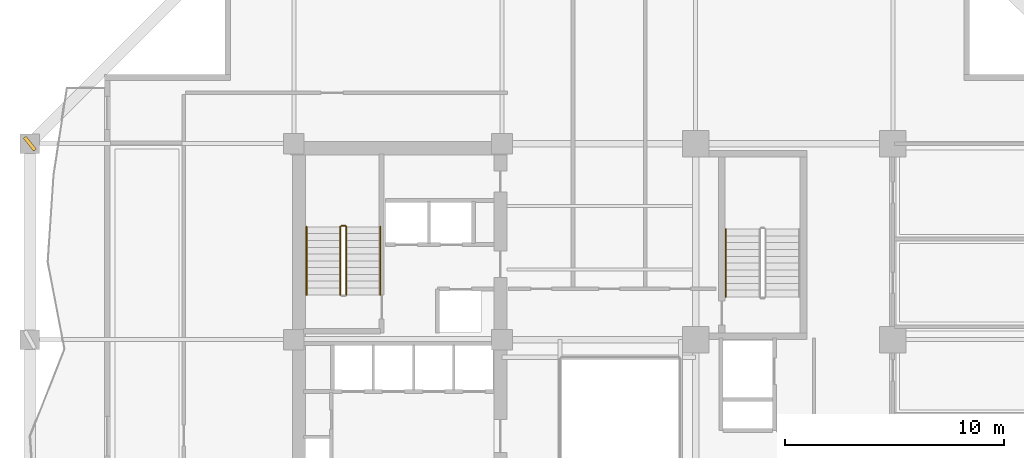
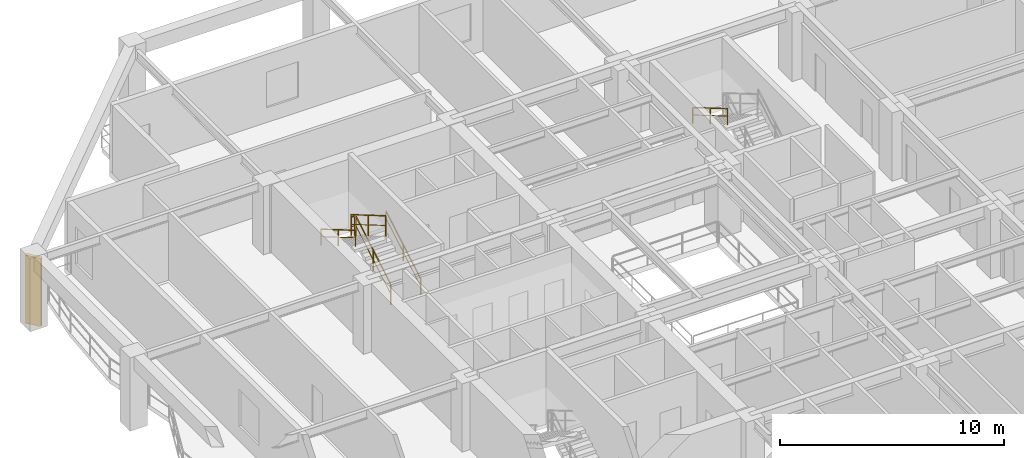
# One storey, part 11 of 13: 6 railings, 1 shading device.
"""IFC4 building model written with IfcOpenShell, lengths in metres."""

from ifc_helpers import new_model, si_unit, direction, frame, origin, origin_2d, place, context, subcontext, project, spatial, rectangle, extrude, material, type_object, element, save


model = new_model("IFC4")

# Units and contexts
model_context = context("Model", 3, precision=1e-05, world=origin(), true_north=direction((0.0, 1.0)))
body_context = subcontext(model_context, "Body", "Model", "MODEL_VIEW")
ifc_project = project(units=[si_unit("LENGTHUNIT", "METRE"), si_unit("AREAUNIT", "SQUARE_METRE"), si_unit("VOLUMEUNIT", "CUBIC_METRE"), si_unit("PLANEANGLEUNIT", "RADIAN"), si_unit("MASSUNIT", "GRAM", prefix="KILO")], contexts=[model_context])

# Site, building, storey
site_placement = place(None, origin())
site = spatial("IfcSite", under=ifc_project, at=site_placement, CompositionType="ELEMENT")
building_placement = place(site_placement, origin())
building = spatial("IfcBuilding", under=site, at=building_placement, Name="Kundavana Baori Tower", CompositionType="ELEMENT")
storey_placement = place(building_placement, frame((0.0, 0.0, 66.0)))
storey = spatial("IfcBuildingStorey", under=building, at=storey_placement, Name="L15", CompositionType="ELEMENT", Elevation=66.0)

# Railings
ifc_material_1 = material(Name="Architectural Patinated Bronze Metalwork")
railing_type_1 = type_object("IfcRailingType", Name="RL-GRD-1150", PredefinedType="GUARDRAIL", material=ifc_material_1)
railing_1_placement = place(storey_placement, frame((17.840087890625, 35.050048828125, 0.181884765625)))
element("IfcRailing", 1, at=railing_1_placement, inside=storey, type_object=railing_type_1, Name="L15 ST2 stair guard 1", PredefinedType="GUARDRAIL", context=body_context, shape_type="SweptSolid", body=[
    extrude(rectangle(XDim=0.048095703125, YDim=0.048095703125, at=origin_2d()), frame((0.0, 0.0, 1.1259765625), z_axis=(0.0, 0.86258143422, 0.50591824373), x_axis=(-1.0, 0.0, 0.0)), (0.0, 0.0, 1.0), 3.59375),
    extrude(rectangle(XDim=0.03125, YDim=0.03125, at=origin_2d()), frame((0.0, 0.0, 0.597900390625), z_axis=(0.0, 0.86258143422, 0.50591824373), x_axis=(-1.0, 0.0, 0.0)), (0.0, 0.0, 1.0), 3.59375),
    extrude(rectangle(XDim=0.0419921875, YDim=0.0419921875, at=origin_2d()), origin(), (0.0, 0.0, 1.0), 1.101806640625),
    extrude(rectangle(XDim=0.0419921875, YDim=0.0419921875, at=origin_2d()), frame((0.0, 1.5498046875, 0.9091796875)), (0.0, 0.0, 1.0), 1.101806640625),
    extrude(rectangle(XDim=0.0419921875, YDim=0.0419921875, at=origin_2d()), frame((0.0, 3.099853515625, 1.818115234375)), (0.0, 0.0, 1.0), 1.101806640625),
])
railing_2_placement = place(storey_placement, frame((17.7900390625, 38.199951171875, 2.0)))
element("IfcRailing", 2, at=railing_2_placement, inside=storey, type_object=railing_type_1, Name="L15 ST2 stair guard 2", PredefinedType="GUARDRAIL", context=body_context, shape_type="SweptSolid", body=[
    extrude(rectangle(XDim=0.048095703125, YDim=0.048095703125, at=origin_2d()), frame((0.0, 0.0, 1.1259765625), z_axis=(-1.0, 0.0, 0.0), x_axis=(0.0, -1.0, 0.0)), (0.0, 0.0, 1.0), 0.16015625),
    extrude(rectangle(XDim=0.03125, YDim=0.03125, at=origin_2d()), frame((0.0, 0.0, 0.597900390625), z_axis=(-1.0, 0.0, 0.0), x_axis=(0.0, -1.0, 0.0)), (0.0, 0.0, 1.0), 0.16015625),
    extrude(rectangle(XDim=0.0419921875, YDim=0.0419921875, at=origin_2d()), origin(), (0.0, 0.0, 1.0), 1.101806640625),
    extrude(rectangle(XDim=0.0419921875, YDim=0.0419921875, at=origin_2d()), frame((-0.16015625, 0.0, 0.0)), (0.0, 0.0, 1.0), 1.101806640625),
])
railing_3_placement = place(storey_placement, frame((17.580078125, 38.14990234375, 2.181884765625)))
element("IfcRailing", 3, at=railing_3_placement, inside=storey, type_object=railing_type_1, Name="L15 ST2 stair guard 3", PredefinedType="GUARDRAIL", context=body_context, shape_type="SweptSolid", body=[
    extrude(rectangle(XDim=0.048095703125, YDim=0.048095703125, at=origin_2d()), frame((0.0, 0.0, 1.1259765625), z_axis=(0.0, -0.86258143422, 0.50591824373), x_axis=(1.0, 0.0, 0.0)), (0.0, 0.0, 1.0), 3.59375),
    extrude(rectangle(XDim=0.03125, YDim=0.03125, at=origin_2d()), frame((0.0, 0.0, 0.597900390625), z_axis=(0.0, -0.86258143422, 0.50591824373), x_axis=(1.0, 0.0, 0.0)), (0.0, 0.0, 1.0), 3.59375),
    extrude(rectangle(XDim=0.0419921875, YDim=0.0419921875, at=origin_2d()), origin(), (0.0, 0.0, 1.0), 1.101806640625),
    extrude(rectangle(XDim=0.0419921875, YDim=0.0419921875, at=origin_2d()), frame((0.0, -1.5498046875, 0.9091796875)), (0.0, 0.0, 1.0), 1.101806640625),
    extrude(rectangle(XDim=0.0419921875, YDim=0.0419921875, at=origin_2d()), frame((0.0, -3.099853515625, 1.818115234375)), (0.0, 0.0, 1.0), 1.101806640625),
])
ifc_material_2 = material(Name="Architectural Patinated Bronze Metalwork")
railing_type_2 = type_object("IfcRailingType", Name="RL-HND-920", PredefinedType="HANDRAIL", material=ifc_material_2)
railing_4_placement = place(storey_placement, frame((19.389892578125, 35.050048828125, 0.181884765625)))
element("IfcRailing", 4, at=railing_4_placement, inside=storey, type_object=railing_type_2, Name="L15 ST2 stair handrail 1", PredefinedType="HANDRAIL", context=body_context, shape_type="SweptSolid", body=[
    extrude(rectangle(XDim=0.048095703125, YDim=0.048095703125, at=origin_2d()), frame((0.0, 0.0, 0.8759765625), z_axis=(0.0, 0.86258143422, 0.50591824373), x_axis=(-1.0, 0.0, 0.0)), (0.0, 0.0, 1.0), 3.59375),
    extrude(rectangle(XDim=0.03125, YDim=0.03125, at=origin_2d()), frame((0.0, 0.0, 0.468017578125), z_axis=(0.0, 0.86258143422, 0.50591824373), x_axis=(-1.0, 0.0, 0.0)), (0.0, 0.0, 1.0), 3.59375),
    extrude(rectangle(XDim=0.0419921875, YDim=0.0419921875, at=origin_2d()), origin(), (0.0, 0.0, 1.0), 0.851806640625),
    extrude(rectangle(XDim=0.0419921875, YDim=0.0419921875, at=origin_2d()), frame((0.0, 1.5498046875, 0.9091796875)), (0.0, 0.0, 1.0), 0.851806640625),
    extrude(rectangle(XDim=0.0419921875, YDim=0.0419921875, at=origin_2d()), frame((0.0, 3.099853515625, 1.818115234375)), (0.0, 0.0, 1.0), 0.851806640625),
])
railing_5_placement = place(storey_placement, frame((16.030029296875, 38.14990234375, 2.181884765625)))
element("IfcRailing", 5, at=railing_5_placement, inside=storey, type_object=railing_type_2, Name="L15 ST2 stair handrail 2", PredefinedType="HANDRAIL", context=body_context, shape_type="SweptSolid", body=[
    extrude(rectangle(XDim=0.048095703125, YDim=0.048095703125, at=origin_2d()), frame((0.0, 0.0, 0.8759765625), z_axis=(0.0, -0.86258143422, 0.50591824373), x_axis=(1.0, 0.0, 0.0)), (0.0, 0.0, 1.0), 3.59375),
    extrude(rectangle(XDim=0.03125, YDim=0.03125, at=origin_2d()), frame((0.0, 0.0, 0.468017578125), z_axis=(0.0, -0.86258143422, 0.50591824373), x_axis=(1.0, 0.0, 0.0)), (0.0, 0.0, 1.0), 3.59375),
    extrude(rectangle(XDim=0.0419921875, YDim=0.0419921875, at=origin_2d()), origin(), (0.0, 0.0, 1.0), 0.851806640625),
    extrude(rectangle(XDim=0.0419921875, YDim=0.0419921875, at=origin_2d()), frame((0.0, -1.5498046875, 0.9091796875)), (0.0, 0.0, 1.0), 0.851806640625),
    extrude(rectangle(XDim=0.0419921875, YDim=0.0419921875, at=origin_2d()), frame((0.0, -3.099853515625, 1.818115234375)), (0.0, 0.0, 1.0), 0.851806640625),
])
railing_6_placement = place(storey_placement, frame((35.169921875, 38.050048828125, 2.181884765625)))
element("IfcRailing", 6, at=railing_6_placement, inside=storey, type_object=railing_type_2, Name="L15 ST3 stair handrail 2", PredefinedType="HANDRAIL", context=body_context, shape_type="SweptSolid", body=[
    extrude(rectangle(XDim=0.048095703125, YDim=0.048095703125, at=origin_2d()), frame((0.0, 0.0, 0.8759765625), z_axis=(0.0, -0.862598821094, 0.505888598258), x_axis=(1.0, 0.0, 0.0)), (0.0, 0.0, 1.0), 3.593994140625),
    extrude(rectangle(XDim=0.03125, YDim=0.03125, at=origin_2d()), frame((0.0, 0.0, 0.468017578125), z_axis=(0.0, -0.862598821094, 0.505888598258), x_axis=(1.0, 0.0, 0.0)), (0.0, 0.0, 1.0), 3.593994140625),
    extrude(rectangle(XDim=0.0419921875, YDim=0.0419921875, at=origin_2d()), origin(), (0.0, 0.0, 1.0), 0.851806640625),
    extrude(rectangle(XDim=0.0419921875, YDim=0.0419921875, at=origin_2d()), frame((0.0, -1.550048828125, 0.9091796875)), (0.0, 0.0, 1.0), 0.851806640625),
    extrude(rectangle(XDim=0.0419921875, YDim=0.0419921875, at=origin_2d()), frame((0.0, -3.10009765625, 1.818115234375)), (0.0, 0.0, 1.0), 0.851806640625),
])

# Shading device
ifc_material_3 = material(Name="Red-Buff Dholpur Sandstone Cladding on Concrete C40/50", Category="masonry")
shading_device_type = type_object("IfcShadingDeviceType", Name="SHD-FIN-750", PredefinedType="JALOUSIE", material=ifc_material_3)
shading_device_placement = place(storey_placement, frame((3.39990234375, 41.949951171875, 0.0), z_axis=(0.0, 0.0, 1.0), x_axis=(0.784559979031, 0.620052932662, 0.0)))
element("IfcShadingDevice", 7, at=shading_device_placement, inside=storey, type_object=shading_device_type, Name="L15 Sweeping Dholpur Sandstone Facade Fin 8", PredefinedType="JALOUSIE", context=body_context, shape_type="SweptSolid", body=[
    extrude(rectangle(XDim=0.159912109375, YDim=0.75, at=origin_2d()), origin(), (0.0, 0.0, 1.0), 3.719970703125),
])

save(model, "model.ifc")
